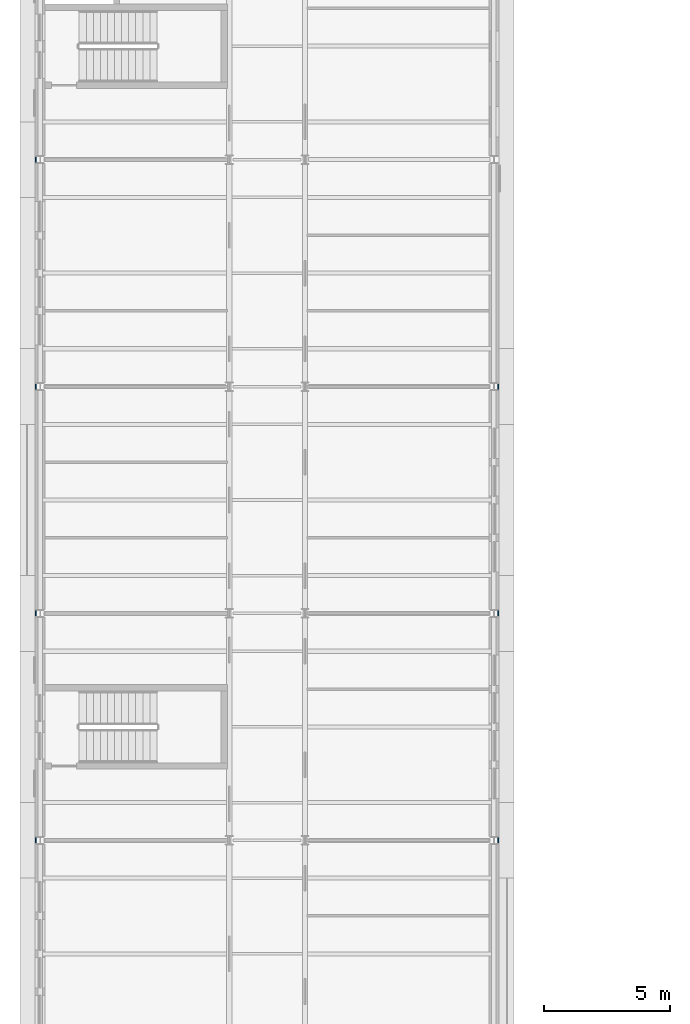
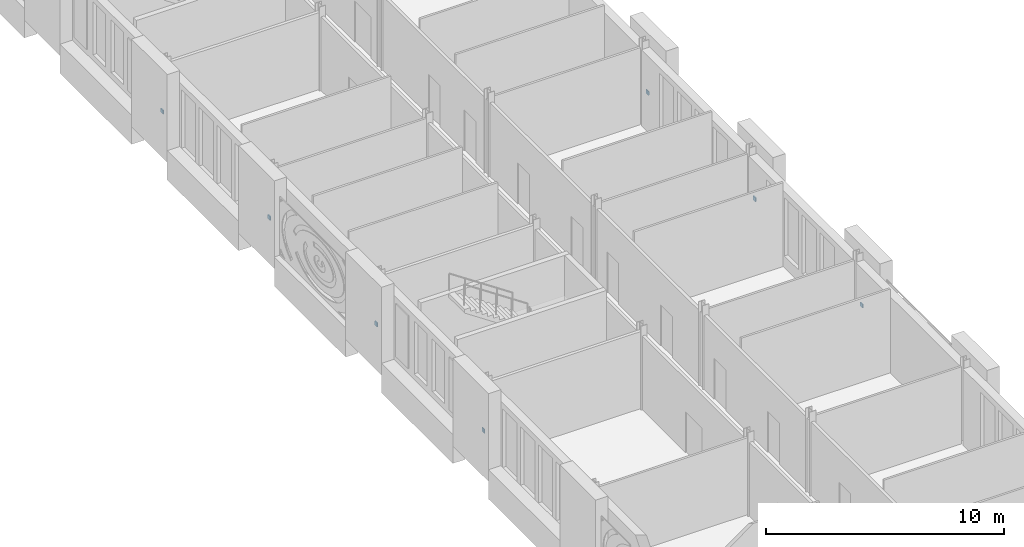
# One storey, part 99 of 134: 7 discrete accessories.
"""IFC4 building model written with IfcOpenShell, lengths in metres."""

from ifc_helpers import new_model, si_unit, direction, frame, origin, origin_2d, place, context, subcontext, project, spatial, rectangle, extrude, material, type_object, element, save


model = new_model("IFC4")

# Units and contexts
model_context = context("Model", 3, precision=1e-05, world=origin(), true_north=direction((0.0, 1.0)))
body_context = subcontext(model_context, "Body", "Model", "MODEL_VIEW")
ifc_project = project(units=[si_unit("LENGTHUNIT", "METRE"), si_unit("AREAUNIT", "SQUARE_METRE"), si_unit("VOLUMEUNIT", "CUBIC_METRE"), si_unit("PLANEANGLEUNIT", "RADIAN"), si_unit("MASSUNIT", "GRAM", prefix="KILO")], contexts=[model_context])

# Site, building, storey
site_placement = place(None, origin())
site = spatial("IfcSite", under=ifc_project, at=site_placement, CompositionType="ELEMENT")
building_placement = place(site_placement, origin())
building = spatial("IfcBuilding", under=site, at=building_placement, Name="Golden Quay Civic Hall", CompositionType="ELEMENT")
storey_placement = place(building_placement, frame((0.0, 0.0, 5.39990234375)))
storey = spatial("IfcBuildingStorey", under=building, at=storey_placement, Name="L01", CompositionType="ELEMENT", Elevation=5.39990234375)

# Discrete accessories
ifc_material = material(Name="Steel S355", Category="steel")
discrete_accessory_type = type_object("IfcDiscreteAccessoryType", Name="Pier fixing bracket 200 x 200", PredefinedType="BRACKET", material=ifc_material)
for number, where, z_axis, x_axis, name in (
    (1, (-0.175048828125, 27.0, 1.39990234375), (0.0, 0.0, 1.0), (0.0, -1.0, 0.0), "Pier fixing bracket 200 x 200 L01 3"),
    (2, (-0.175048828125, 36.0, 1.39990234375), (0.0, 0.0, 1.0), (0.0, -1.0, 0.0), "Pier fixing bracket 200 x 200 L01 4"),
    (3, (-0.175048828125, 45.0, 1.39990234375), (0.0, 0.0, 1.0), (0.0, -1.0, 0.0), "Pier fixing bracket 200 x 200 L01 5"),
    (4, (-0.175048828125, 54.0, 1.39990234375), (0.0, 0.0, 1.0), (0.0, -1.0, 0.0), "Pier fixing bracket 200 x 200 L01 6"),
    (5, (18.175048828125, 27.0, 1.39990234375), (0.0, 0.0, 1.0), (0.0, 1.0, 0.0), "Pier fixing bracket 200 x 200 L01 10"),
    (6, (18.175048828125, 36.0, 1.39990234375), (0.0, 0.0, 1.0), (0.0, 1.0, 0.0), "Pier fixing bracket 200 x 200 L01 11"),
    (7, (18.175048828125, 45.0, 1.39990234375), (0.0, 0.0, 1.0), (0.0, 1.0, 0.0), "Pier fixing bracket 200 x 200 L01 12"),
):
    element("IfcDiscreteAccessory", number, at=place(storey_placement, frame(where, z_axis=z_axis, x_axis=x_axis)), inside=storey, type_object=discrete_accessory_type, Name=name, PredefinedType="BRACKET", context=body_context, shape_type="SweptSolid", body=[
        extrude(rectangle(XDim=0.199951171875, YDim=0.050048828125, at=origin_2d()), origin(), (0.0, 0.0, 1.0), 0.199951171875),
    ])

save(model, "model.ifc")
